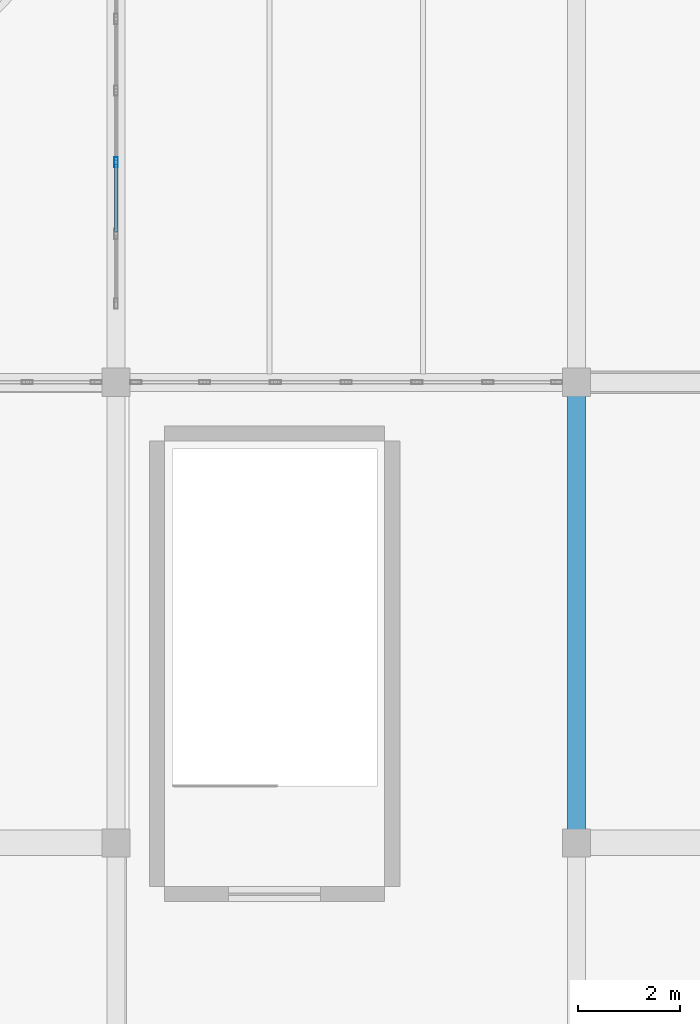
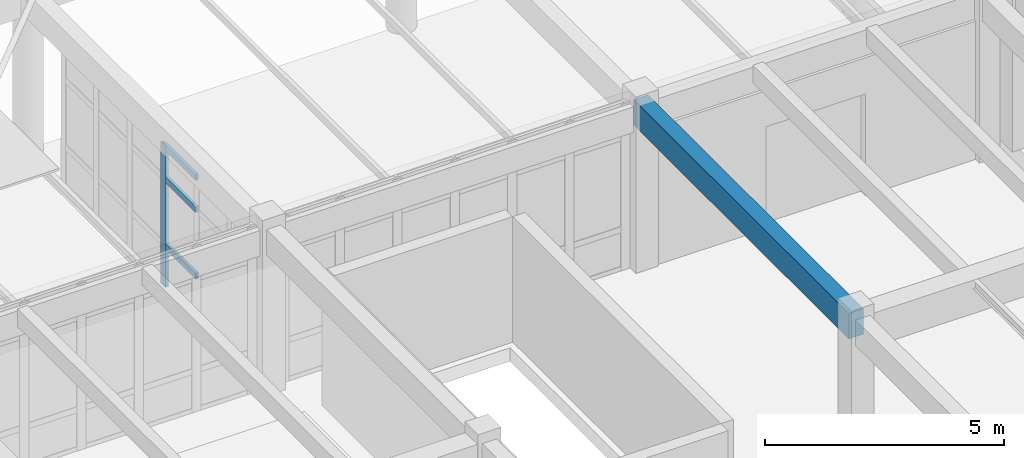
# One storey, part 100 of 186: 4 members, 1 beam, 1 element without a shape of its own.
"""IFC4 building model written with IfcOpenShell, lengths in metres."""

from ifc_helpers import new_model, si_unit, direction, frame, origin, origin_2d, place, context, subcontext, project, spatial, rectangle, hollow_rectangle, extrude, material, layer, layer_set, material_profile, profile_set, type_object, element, aggregate, save


model = new_model("IFC4")

# Units and contexts
model_context = context("Model", 3, precision=1e-05, world=origin(), true_north=direction((0.0, 1.0)))
body_context = subcontext(model_context, "Body", "Model", "MODEL_VIEW")
ifc_project = project(units=[si_unit("LENGTHUNIT", "METRE"), si_unit("AREAUNIT", "SQUARE_METRE"), si_unit("VOLUMEUNIT", "CUBIC_METRE"), si_unit("PLANEANGLEUNIT", "RADIAN"), si_unit("MASSUNIT", "GRAM", prefix="KILO")], contexts=[model_context])

# Site, building, storey
site_placement = place(None, origin())
site = spatial("IfcSite", under=ifc_project, at=site_placement, CompositionType="ELEMENT")
building_placement = place(site_placement, origin())
building = spatial("IfcBuilding", under=site, at=building_placement, Name="Ornek Quay Market", CompositionType="ELEMENT")
storey_placement = place(building_placement, origin())
storey = spatial("IfcBuildingStorey", under=building, at=storey_placement, Name="L00", CompositionType="ELEMENT", Elevation=0.0)

# Beam
ifc_material_1 = material(Name="Concrete C35/45", Category="concrete")
ifc_material_profile_1 = material_profile(ifc_material_1, rectangle(XDim=0.35009765625, YDim=0.64990234375, at=origin_2d()), Name="RC 350x650", Category="concrete")
ifc_profile_set_1 = profile_set([ifc_material_profile_1], Name="Concrete C35/45")
beam_type = type_object("IfcBeamType", Name="BM-CONC-350x650", PredefinedType="BEAM", material=ifc_profile_set_1)
beam_placement = place(storey_placement, frame((117.0, 101.0, 3.9150390625), z_axis=(0.0, 1.0, 0.0), x_axis=(-1.0, 0.0, 0.0)))
element("IfcBeam", 1, at=beam_placement, inside=storey, type_object=beam_type, Name="Primary beam B-CN1-110", PredefinedType="BEAM", context=body_context, shape_type="SweptSolid", body=[
    extrude(rectangle(XDim=0.35009765625, YDim=0.64990234375, at=origin_2d()), origin(), (0.0, 0.0, 1.0), 9.0),
])

# Curtain wall, members
ifc_material_2 = material(Name="Anodised bronze aluminium and triple low-e glass", Category="aluminium")
ifc_layer = layer(ifc_material_2, 0.219970703125, Name="Anodised bronze aluminium and triple low-e glass", Category="aluminium")
ifc_layer_set = layer_set([ifc_layer], Name="Anodised bronze aluminium and triple low-e glass")
curtain_wall_type = type_object("IfcCurtainWallType", Name="CW-PORCH-MOD1500", PredefinedType="USERDEFINED", material=ifc_layer_set)
curtain_wall_placement = place(storey_placement, origin())
curtain_wall = element("IfcCurtainWall", 2, at=curtain_wall_placement, inside=storey, type_object=curtain_wall_type, Name="Curtain wall CW-154", ObjectType="CURTAIN WALL", PredefinedType="USERDEFINED")
ifc_material_3 = material(Name="Anodised aluminium 6063-T6", Category="aluminium")
ifc_material_profile_2 = material_profile(ifc_material_3, hollow_rectangle(XDim=0.070068359375, YDim=0.199951171875, WallThickness=0.0048828125, at=origin_2d()), Name="CW-MUL-70x200", Category="aluminium")
ifc_profile_set_2 = profile_set([ifc_material_profile_2], Name="Anodised aluminium 6063-T6")
member_type_1 = type_object("IfcMemberType", Name="CW-MUL-70x200", PredefinedType="MULLION", material=ifc_profile_set_2)
member_1_placement = place(storey_placement, frame((108.0, 114.300048828125, 0.0), z_axis=(0.0, 0.0, 1.0), x_axis=(-1.0, 0.0, 0.0)))
member_1 = element("IfcMember", 3, at=member_1_placement, type_object=member_type_1, Name="CW-154 mullion 3", PredefinedType="MULLION", context=body_context, shape_type="SweptSolid", body=[
    extrude(hollow_rectangle(XDim=0.070068359375, YDim=0.199951171875, WallThickness=0.0048828125, at=origin_2d()), origin(), (0.0, 0.0, 1.0), 3.60009765625),
])
ifc_material_profile_3 = material_profile(ifc_material_3, hollow_rectangle(XDim=0.070068359375, YDim=0.14990234375, WallThickness=0.0048828125, at=origin_2d()), Name="CW-TRN-70x150", Category="aluminium")
ifc_profile_set_3 = profile_set([ifc_material_profile_3], Name="Anodised aluminium 6063-T6")
member_type_2 = type_object("IfcMemberType", Name="CW-TRN-70x150", PredefinedType="USERDEFINED", material=ifc_profile_set_3)
member_2_placement = place(storey_placement, frame((108.0, 112.93505859375, 1.050048828125), z_axis=(0.0, 1.0, 0.0), x_axis=(-1.0, 0.0, 0.0)))
member_2 = element("IfcMember", 4, at=member_2_placement, type_object=member_type_2, Name="CW-154 transom 2.2", ObjectType="TRANSOM", PredefinedType="USERDEFINED", context=body_context, shape_type="SweptSolid", body=[
    extrude(hollow_rectangle(XDim=0.070068359375, YDim=0.14990234375, WallThickness=0.0048828125, at=origin_2d()), origin(), (0.0, 0.0, 1.0), 1.329833984375),
])
member_3_placement = place(storey_placement, frame((108.0, 112.93505859375, 2.75), z_axis=(0.0, 1.0, 0.0), x_axis=(-1.0, 0.0, 0.0)))
member_3 = element("IfcMember", 5, at=member_3_placement, type_object=member_type_2, Name="CW-154 transom 2.3", ObjectType="TRANSOM", PredefinedType="USERDEFINED", context=body_context, shape_type="SweptSolid", body=[
    extrude(hollow_rectangle(XDim=0.070068359375, YDim=0.14990234375, WallThickness=0.0048828125, at=origin_2d()), origin(), (0.0, 0.0, 1.0), 1.329833984375),
])
member_4_placement = place(storey_placement, frame((108.0, 112.93505859375, 3.56494140625), z_axis=(0.0, 1.0, 0.0), x_axis=(-1.0, 0.0, 0.0)))
member_4 = element("IfcMember", 6, at=member_4_placement, type_object=member_type_2, Name="CW-154 transom 2.4", ObjectType="TRANSOM", PredefinedType="USERDEFINED", context=body_context, shape_type="SweptSolid", body=[
    extrude(hollow_rectangle(XDim=0.070068359375, YDim=0.14990234375, WallThickness=0.0048828125, at=origin_2d()), origin(), (0.0, 0.0, 1.0), 1.329833984375),
])
aggregate(curtain_wall, [member_1, member_2, member_3, member_4])

save(model, "model.ifc")
